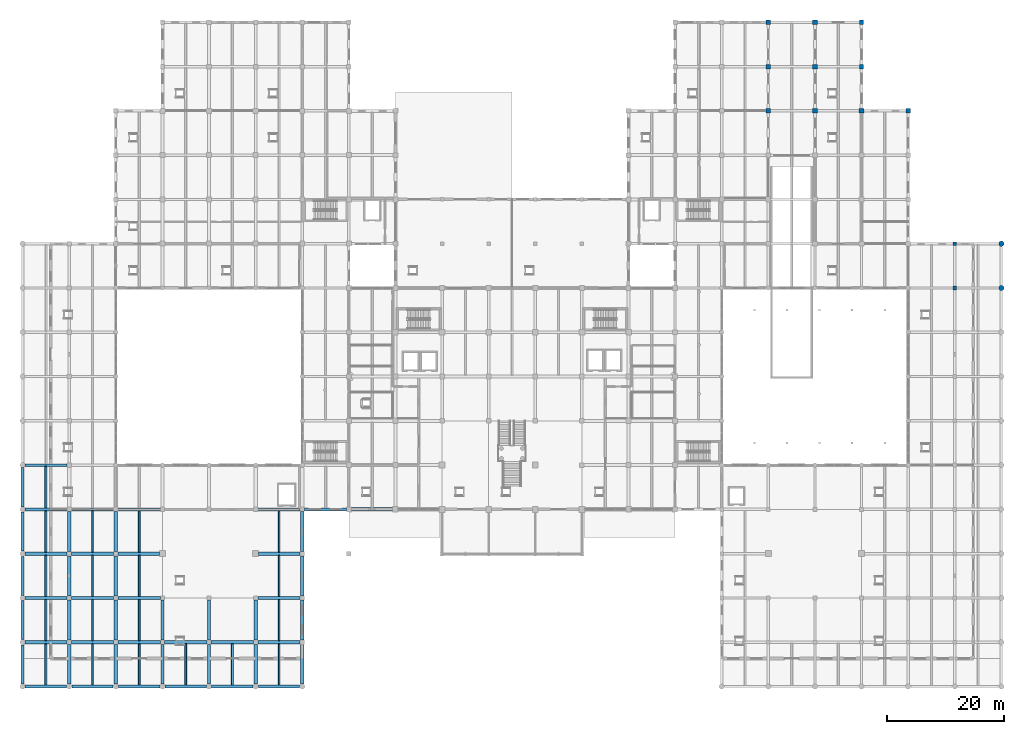
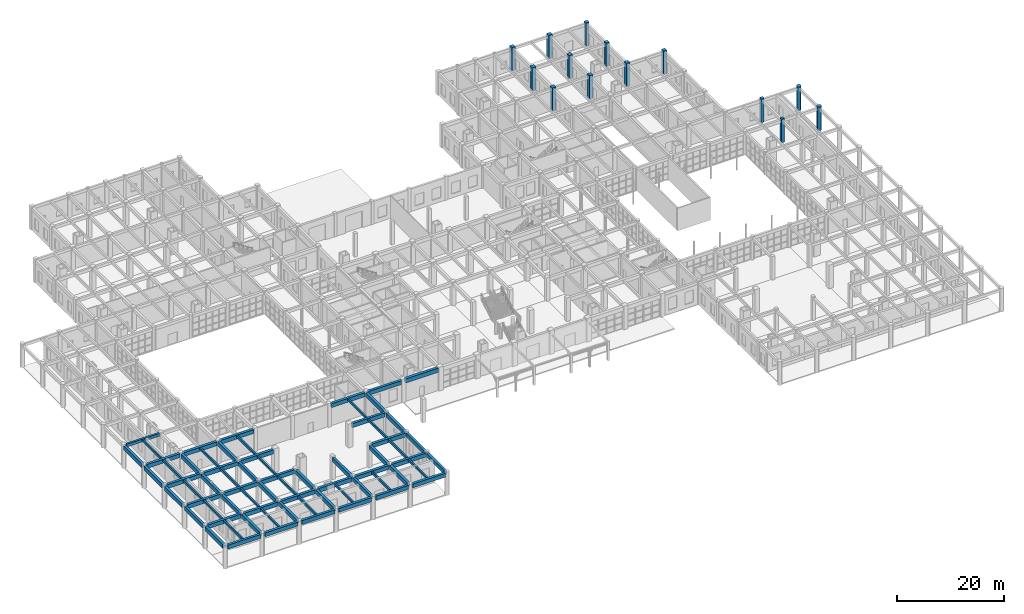
# One storey, part 13 of 95: 69 beams, 14 columns.
"""IFC4 building model written with IfcOpenShell, lengths in metres."""

from ifc_helpers import new_model, si_unit, direction, frame, origin, origin_2d, place, context, subcontext, project, spatial, rectangle, circle, extrude, material, material_profile, profile_set, type_object, element, save


model = new_model("IFC4")

# Units and contexts
model_context = context("Model", 3, precision=1e-05, world=origin(), true_north=direction((0.0, 1.0)))
body_context = subcontext(model_context, "Body", "Model", "MODEL_VIEW")
ifc_project = project(units=[si_unit("LENGTHUNIT", "METRE"), si_unit("AREAUNIT", "SQUARE_METRE"), si_unit("VOLUMEUNIT", "CUBIC_METRE"), si_unit("PLANEANGLEUNIT", "RADIAN"), si_unit("MASSUNIT", "GRAM", prefix="KILO")], contexts=[model_context])

# Site, building, storey
site_placement = place(None, origin())
site = spatial("IfcSite", under=ifc_project, at=site_placement, CompositionType="ELEMENT")
building_placement = place(site_placement, origin())
building = spatial("IfcBuilding", under=site, at=building_placement, Name="Zantavel Square City Hall", CompositionType="ELEMENT")
storey_placement = place(building_placement, origin())
storey = spatial("IfcBuildingStorey", under=building, at=storey_placement, Name="L01", CompositionType="ELEMENT", Elevation=0.0)

# Columns
ifc_material_1 = material(Name="Concrete C40/50", Category="concrete")
ifc_material_profile_1 = material_profile(ifc_material_1, rectangle(XDim=0.64990234375, YDim=0.64990234375, at=origin_2d()), Name="RC 650x650")
ifc_profile_set_1 = profile_set([ifc_material_profile_1], Name="Concrete C40/50")
column_type_1 = type_object("IfcColumnType", Name="Column RC 650x650 C40/50", PredefinedType="COLUMN", material=ifc_profile_set_1)
for number, where, z_axis, x_axis, name in (
    (1, (160.0, 68.39990234375, 0.0), (0.0, 0.0, 1.0), (1.0, 0.0, 0.0), "L01 Column COL-L01-1600-0684"),
    (2, (160.0, 76.0, 0.0), (0.0, 0.0, 1.0), (1.0, 0.0, 0.0), "L01 Column COL-L01-1600-0760"),
):
    element("IfcColumn", number, at=place(storey_placement, frame(where, z_axis=z_axis, x_axis=x_axis)), inside=storey, type_object=column_type_1, Name=name, PredefinedType="COLUMN", context=body_context, shape_type="SweptSolid", body=[
        extrude(rectangle(XDim=0.64990234375, YDim=0.64990234375, at=origin_2d()), origin(), (0.0, 0.0, 1.0), 5.39990234375),
    ])
ifc_material_profile_2 = material_profile(ifc_material_1, rectangle(XDim=0.75, YDim=0.75, at=origin_2d()), Name="RC 750x750")
ifc_profile_set_2 = profile_set([ifc_material_profile_2], Name="Concrete C40/50")
column_type_2 = type_object("IfcColumnType", Name="Column RC 750x750 C40/50", PredefinedType="COLUMN", material=ifc_profile_set_2)
for number, where, z_axis, x_axis, name in (
    (3, (144.0, 106.39990234375, 0.0), (0.0, 0.0, 1.0), (1.0, 0.0, 0.0), "L01 Column COL-L01-1440-1064"),
    (4, (144.0, 114.0, 0.0), (0.0, 0.0, 1.0), (1.0, 0.0, 0.0), "L01 Column COL-L01-1440-1140"),
    (5, (152.0, 98.800048828125, 0.0), (0.0, 0.0, 1.0), (1.0, 0.0, 0.0), "L01 Column COL-L01-1520-0988"),
):
    element("IfcColumn", number, at=place(storey_placement, frame(where, z_axis=z_axis, x_axis=x_axis)), inside=storey, type_object=column_type_2, Name=name, PredefinedType="COLUMN", context=body_context, shape_type="SweptSolid", body=[
        extrude(rectangle(XDim=0.75, YDim=0.75, at=origin_2d()), origin(), (0.0, 0.0, 1.0), 5.39990234375),
    ])
ifc_material_profile_3 = material_profile(ifc_material_1, rectangle(XDim=0.800048828125, YDim=0.800048828125, at=origin_2d()), Name="RC 800x800")
ifc_profile_set_3 = profile_set([ifc_material_profile_3], Name="Concrete C40/50")
column_type_3 = type_object("IfcColumnType", Name="Column RC 800x800 C40/50", PredefinedType="COLUMN", material=ifc_profile_set_3)
for number, where, z_axis, x_axis, name in (
    (6, (128.0, 98.800048828125, 0.0), (0.0, 0.0, 1.0), (1.0, 0.0, 0.0), "L01 Column COL-L01-1280-0988"),
    (7, (128.0, 106.39990234375, 0.0), (0.0, 0.0, 1.0), (1.0, 0.0, 0.0), "L01 Column COL-L01-1280-1064"),
    (8, (128.0, 114.0, 0.0), (0.0, 0.0, 1.0), (1.0, 0.0, 0.0), "L01 Column COL-L01-1280-1140"),
    (9, (136.0, 98.800048828125, 0.0), (0.0, 0.0, 1.0), (1.0, 0.0, 0.0), "L01 Column COL-L01-1360-0988"),
    (10, (136.0, 106.39990234375, 0.0), (0.0, 0.0, 1.0), (1.0, 0.0, 0.0), "L01 Column COL-L01-1360-1064"),
    (11, (136.0, 114.0, 0.0), (0.0, 0.0, 1.0), (1.0, 0.0, 0.0), "L01 Column COL-L01-1360-1140"),
    (12, (144.0, 98.800048828125, 0.0), (0.0, 0.0, 1.0), (1.0, 0.0, 0.0), "L01 Column COL-L01-1440-0988"),
):
    element("IfcColumn", number, at=place(storey_placement, frame(where, z_axis=z_axis, x_axis=x_axis)), inside=storey, type_object=column_type_3, Name=name, PredefinedType="COLUMN", context=body_context, shape_type="SweptSolid", body=[
        extrude(rectangle(XDim=0.800048828125, YDim=0.800048828125, at=origin_2d()), origin(), (0.0, 0.0, 1.0), 5.39990234375),
    ])
ifc_material_profile_4 = material_profile(ifc_material_1, circle(Radius=0.449951171875, at=origin_2d()), Name="ROUND D900")
ifc_profile_set_4 = profile_set([ifc_material_profile_4], Name="Concrete C40/50")
column_type_4 = type_object("IfcColumnType", Name="Portales Tuscan Column D900 C40/50", PredefinedType="COLUMN", material=ifc_profile_set_4)
for number, where, z_axis, x_axis, name in (
    (13, (168.0, 68.39990234375, 0.0), (0.0, 0.0, 1.0), (1.0, 0.0, 0.0), "L01 Column COL-L01-1680-0684"),
    (14, (168.0, 76.0, 0.0), (0.0, 0.0, 1.0), (1.0, 0.0, 0.0), "L01 Column COL-L01-1680-0760"),
):
    element("IfcColumn", number, at=place(storey_placement, frame(where, z_axis=z_axis, x_axis=x_axis)), inside=storey, type_object=column_type_4, Name=name, PredefinedType="COLUMN", context=body_context, shape_type="SweptSolid", body=[
        extrude(circle(Radius=0.449951171875, at=origin_2d()), origin(), (0.0, 0.0, 1.0), 5.39990234375),
    ])

# Beams
ifc_material_profile_5 = material_profile(ifc_material_1, rectangle(XDim=0.320068359375, YDim=0.52001953125, at=origin_2d()), Name="RC 320x520")
ifc_profile_set_5 = profile_set([ifc_material_profile_5], Name="Concrete C40/50")
beam_type_1 = type_object("IfcBeamType", Name="Archive Floor Joist RC 320x520 C40/50", PredefinedType="JOIST", material=ifc_profile_set_5)
for number, where, z_axis, x_axis, name in (
    (15, (4.0, 0.27490234375, 4.889892578125), (0.0, 1.0, 0.0), (-1.0, 0.0, 0.0), "L01 Floor Joist JST-L01-0040-0000"),
    (16, (4.0, 7.875, 4.889892578125), (0.0, 1.0, 0.0), (-1.0, 0.0, 0.0), "L01 Floor Joist JST-L01-0040-0076"),
):
    element("IfcBeam", number, at=place(storey_placement, frame(where, z_axis=z_axis, x_axis=x_axis)), inside=storey, type_object=beam_type_1, Name=name, PredefinedType="JOIST", context=body_context, shape_type="SweptSolid", body=[
        extrude(rectangle(XDim=0.320068359375, YDim=0.52001953125, at=origin_2d()), origin(), (0.0, 0.0, 1.0), 7.050048828125),
    ])
beam_1_placement = place(storey_placement, frame((4.0, 15.47509765625, 4.889892578125), z_axis=(0.0, 1.0, 0.0), x_axis=(-1.0, 0.0, 0.0)))
element("IfcBeam", 17, at=beam_1_placement, inside=storey, type_object=beam_type_1, Name="L01 Floor Joist JST-L01-0040-0152", PredefinedType="JOIST", context=body_context, shape_type="SweptSolid", body=[
    extrude(rectangle(XDim=0.320068359375, YDim=0.52001953125, at=origin_2d()), origin(), (0.0, 0.0, 1.0), 7.0498046875),
])
beam_2_placement = place(storey_placement, frame((4.0, 23.074951171875, 4.889892578125), z_axis=(0.0, 1.0, 0.0), x_axis=(-1.0, 0.0, 0.0)))
element("IfcBeam", 18, at=beam_2_placement, inside=storey, type_object=beam_type_1, Name="L01 Floor Joist JST-L01-0040-0228", PredefinedType="JOIST", context=body_context, shape_type="SweptSolid", body=[
    extrude(rectangle(XDim=0.320068359375, YDim=0.52001953125, at=origin_2d()), origin(), (0.0, 0.0, 1.0), 7.050048828125),
])
beam_3_placement = place(storey_placement, frame((4.0, 30.675048828125, 4.889892578125), z_axis=(0.0, 1.0, 0.0), x_axis=(-1.0, 0.0, 0.0)))
element("IfcBeam", 19, at=beam_3_placement, inside=storey, type_object=beam_type_1, Name="L01 Floor Joist JST-L01-0040-0304", PredefinedType="JOIST", context=body_context, shape_type="SweptSolid", body=[
    extrude(rectangle(XDim=0.320068359375, YDim=0.52001953125, at=origin_2d()), origin(), (0.0, 0.0, 1.0), 7.125),
])
for number, where, z_axis, x_axis, name in (
    (20, (12.0, 0.27490234375, 4.820068359375), (0.0, 1.0, 0.0), (-1.0, 0.0, 0.0), "L01 Floor Joist JST-L01-0120-0000"),
    (21, (12.0, 7.875, 4.820068359375), (0.0, 1.0, 0.0), (-1.0, 0.0, 0.0), "L01 Floor Joist JST-L01-0120-0076"),
):
    element("IfcBeam", number, at=place(storey_placement, frame(where, z_axis=z_axis, x_axis=x_axis)), inside=storey, type_object=beam_type_1, Name=name, PredefinedType="JOIST", context=body_context, shape_type="SweptSolid", body=[
        extrude(rectangle(XDim=0.320068359375, YDim=0.52001953125, at=origin_2d()), origin(), (0.0, 0.0, 1.0), 7.050048828125),
    ])
beam_4_placement = place(storey_placement, frame((12.0, 15.47509765625, 4.820068359375), z_axis=(0.0, 1.0, 0.0), x_axis=(-1.0, 0.0, 0.0)))
element("IfcBeam", 22, at=beam_4_placement, inside=storey, type_object=beam_type_1, Name="L01 Floor Joist JST-L01-0120-0152", PredefinedType="JOIST", context=body_context, shape_type="SweptSolid", body=[
    extrude(rectangle(XDim=0.320068359375, YDim=0.52001953125, at=origin_2d()), origin(), (0.0, 0.0, 1.0), 7.0498046875),
])
for number, where, z_axis, x_axis, name in (
    (23, (12.0, 23.074951171875, 4.820068359375), (0.0, 1.0, 0.0), (-1.0, 0.0, 0.0), "L01 Floor Joist JST-L01-0120-0228"),
    (24, (20.0, 0.27490234375, 4.820068359375), (0.0, 1.0, 0.0), (-1.0, 0.0, 0.0), "L01 Floor Joist JST-L01-0200-0000"),
    (25, (20.0, 7.875, 4.820068359375), (0.0, 1.0, 0.0), (-1.0, 0.0, 0.0), "L01 Floor Joist JST-L01-0200-0076"),
):
    element("IfcBeam", number, at=place(storey_placement, frame(where, z_axis=z_axis, x_axis=x_axis)), inside=storey, type_object=beam_type_1, Name=name, PredefinedType="JOIST", context=body_context, shape_type="SweptSolid", body=[
        extrude(rectangle(XDim=0.320068359375, YDim=0.52001953125, at=origin_2d()), origin(), (0.0, 0.0, 1.0), 7.050048828125),
    ])
beam_5_placement = place(storey_placement, frame((20.0, 15.47509765625, 4.820068359375), z_axis=(0.0, 1.0, 0.0), x_axis=(-1.0, 0.0, 0.0)))
element("IfcBeam", 26, at=beam_5_placement, inside=storey, type_object=beam_type_1, Name="L01 Floor Joist JST-L01-0200-0152", PredefinedType="JOIST", context=body_context, shape_type="SweptSolid", body=[
    extrude(rectangle(XDim=0.320068359375, YDim=0.52001953125, at=origin_2d()), origin(), (0.0, 0.0, 1.0), 7.0498046875),
])
for number, where, z_axis, x_axis, name in (
    (27, (20.0, 23.074951171875, 4.820068359375), (0.0, 1.0, 0.0), (-1.0, 0.0, 0.0), "L01 Floor Joist JST-L01-0200-0228"),
    (28, (28.0, 0.27490234375, 4.820068359375), (0.0, 1.0, 0.0), (-1.0, 0.0, 0.0), "L01 Floor Joist JST-L01-0280-0000"),
    (29, (36.0, 0.27490234375, 4.820068359375), (0.0, 1.0, 0.0), (-1.0, 0.0, 0.0), "L01 Floor Joist JST-L01-0360-0000"),
    (30, (44.0, 0.27490234375, 4.820068359375), (0.0, 1.0, 0.0), (-1.0, 0.0, 0.0), "L01 Floor Joist JST-L01-0440-0000"),
    (31, (44.0, 7.875, 4.820068359375), (0.0, 1.0, 0.0), (-1.0, 0.0, 0.0), "L01 Floor Joist JST-L01-0440-0076"),
):
    element("IfcBeam", number, at=place(storey_placement, frame(where, z_axis=z_axis, x_axis=x_axis)), inside=storey, type_object=beam_type_1, Name=name, PredefinedType="JOIST", context=body_context, shape_type="SweptSolid", body=[
        extrude(rectangle(XDim=0.320068359375, YDim=0.52001953125, at=origin_2d()), origin(), (0.0, 0.0, 1.0), 7.050048828125),
    ])
beam_6_placement = place(storey_placement, frame((44.0, 15.47509765625, 4.820068359375), z_axis=(0.0, 1.0, 0.0), x_axis=(-1.0, 0.0, 0.0)))
element("IfcBeam", 32, at=beam_6_placement, inside=storey, type_object=beam_type_1, Name="L01 Floor Joist JST-L01-0440-0152", PredefinedType="JOIST", context=body_context, shape_type="SweptSolid", body=[
    extrude(rectangle(XDim=0.320068359375, YDim=0.52001953125, at=origin_2d()), origin(), (0.0, 0.0, 1.0), 7.0498046875),
])
beam_7_placement = place(storey_placement, frame((44.0, 23.074951171875, 4.820068359375), z_axis=(0.0, 1.0, 0.0), x_axis=(-1.0, 0.0, 0.0)))
element("IfcBeam", 33, at=beam_7_placement, inside=storey, type_object=beam_type_1, Name="L01 Floor Joist JST-L01-0440-0228", PredefinedType="JOIST", context=body_context, shape_type="SweptSolid", body=[
    extrude(rectangle(XDim=0.320068359375, YDim=0.52001953125, at=origin_2d()), origin(), (0.0, 0.0, 1.0), 7.050048828125),
])
ifc_material_profile_6 = material_profile(ifc_material_1, rectangle(XDim=0.550048828125, YDim=0.89990234375, at=origin_2d()), Name="RC 550x900")
ifc_profile_set_6 = profile_set([ifc_material_profile_6], Name="Concrete C40/50")
beam_type_2 = type_object("IfcBeamType", Name="Archive Heavy Girder RC 550x900 C40/50", PredefinedType="BEAM", material=ifc_profile_set_6)
beam_8_placement = place(storey_placement, frame((0.449951171875, 0.0, 4.699951171875), z_axis=(1.0, 0.0, 0.0), x_axis=(0.0, 1.0, 0.0)))
element("IfcBeam", 34, at=beam_8_placement, inside=storey, type_object=beam_type_2, Name="L01 Girder BMX-L01-0000-0000", PredefinedType="BEAM", context=body_context, shape_type="SweptSolid", body=[
    extrude(rectangle(XDim=0.550048828125, YDim=0.89990234375, at=origin_2d()), origin(), (0.0, 0.0, 1.0), 7.10009765625),
])
beam_9_placement = place(storey_placement, frame((0.0, 0.449951171875, 4.699951171875), z_axis=(0.0, 1.0, 0.0), x_axis=(-1.0, 0.0, 0.0)))
element("IfcBeam", 35, at=beam_9_placement, inside=storey, type_object=beam_type_2, Name="L01 Beam BMY-L01-0000-0000", PredefinedType="BEAM", context=body_context, shape_type="SweptSolid", body=[
    extrude(rectangle(XDim=0.550048828125, YDim=0.89990234375, at=origin_2d()), origin(), (0.0, 0.0, 1.0), 6.699951171875),
])
beam_10_placement = place(storey_placement, frame((0.449951171875, 7.60009765625, 4.699951171875), z_axis=(1.0, 0.0, 0.0), x_axis=(0.0, 1.0, 0.0)))
element("IfcBeam", 36, at=beam_10_placement, inside=storey, type_object=beam_type_2, Name="L01 Girder BMX-L01-0000-0076", PredefinedType="BEAM", context=body_context, shape_type="SweptSolid", body=[
    extrude(rectangle(XDim=0.550048828125, YDim=0.89990234375, at=origin_2d()), origin(), (0.0, 0.0, 1.0), 7.175048828125),
])
beam_11_placement = place(storey_placement, frame((0.0, 8.050048828125, 4.699951171875), z_axis=(0.0, 1.0, 0.0), x_axis=(-1.0, 0.0, 0.0)))
element("IfcBeam", 37, at=beam_11_placement, inside=storey, type_object=beam_type_2, Name="L01 Beam BMY-L01-0000-0076", PredefinedType="BEAM", context=body_context, shape_type="SweptSolid", body=[
    extrude(rectangle(XDim=0.550048828125, YDim=0.89990234375, at=origin_2d()), origin(), (0.0, 0.0, 1.0), 6.699951171875),
])
beam_12_placement = place(storey_placement, frame((0.449951171875, 15.199951171875, 4.699951171875), z_axis=(1.0, 0.0, 0.0), x_axis=(0.0, 1.0, 0.0)))
element("IfcBeam", 38, at=beam_12_placement, inside=storey, type_object=beam_type_2, Name="L01 Girder BMX-L01-0000-0152", PredefinedType="BEAM", context=body_context, shape_type="SweptSolid", body=[
    extrude(rectangle(XDim=0.550048828125, YDim=0.89990234375, at=origin_2d()), origin(), (0.0, 0.0, 1.0), 7.175048828125),
])
beam_13_placement = place(storey_placement, frame((0.0, 15.64990234375, 4.699951171875), z_axis=(0.0, 1.0, 0.0), x_axis=(-1.0, 0.0, 0.0)))
element("IfcBeam", 39, at=beam_13_placement, inside=storey, type_object=beam_type_2, Name="L01 Beam BMY-L01-0000-0152", PredefinedType="BEAM", context=body_context, shape_type="SweptSolid", body=[
    extrude(rectangle(XDim=0.550048828125, YDim=0.89990234375, at=origin_2d()), origin(), (0.0, 0.0, 1.0), 6.7001953125),
])
beam_14_placement = place(storey_placement, frame((0.449951171875, 22.800048828125, 4.699951171875), z_axis=(1.0, 0.0, 0.0), x_axis=(0.0, 1.0, 0.0)))
element("IfcBeam", 40, at=beam_14_placement, inside=storey, type_object=beam_type_2, Name="L01 Girder BMX-L01-0000-0228", PredefinedType="BEAM", context=body_context, shape_type="SweptSolid", body=[
    extrude(rectangle(XDim=0.550048828125, YDim=0.89990234375, at=origin_2d()), origin(), (0.0, 0.0, 1.0), 7.175048828125),
])
beam_15_placement = place(storey_placement, frame((0.0, 23.25, 4.699951171875), z_axis=(0.0, 1.0, 0.0), x_axis=(-1.0, 0.0, 0.0)))
element("IfcBeam", 41, at=beam_15_placement, inside=storey, type_object=beam_type_2, Name="L01 Beam BMY-L01-0000-0228", PredefinedType="BEAM", context=body_context, shape_type="SweptSolid", body=[
    extrude(rectangle(XDim=0.550048828125, YDim=0.89990234375, at=origin_2d()), origin(), (0.0, 0.0, 1.0), 6.699951171875),
])
beam_16_placement = place(storey_placement, frame((0.449951171875, 30.39990234375, 4.699951171875), z_axis=(1.0, 0.0, 0.0), x_axis=(0.0, 1.0, 0.0)))
element("IfcBeam", 42, at=beam_16_placement, inside=storey, type_object=beam_type_2, Name="L01 Girder BMX-L01-0000-0304", PredefinedType="BEAM", context=body_context, shape_type="SweptSolid", body=[
    extrude(rectangle(XDim=0.550048828125, YDim=0.89990234375, at=origin_2d()), origin(), (0.0, 0.0, 1.0), 7.175048828125),
])
beam_17_placement = place(storey_placement, frame((0.0, 30.85009765625, 4.699951171875), z_axis=(0.0, 1.0, 0.0), x_axis=(-1.0, 0.0, 0.0)))
element("IfcBeam", 43, at=beam_17_placement, inside=storey, type_object=beam_type_2, Name="L01 Beam BMY-L01-0000-0304", PredefinedType="BEAM", context=body_context, shape_type="SweptSolid", body=[
    extrude(rectangle(XDim=0.550048828125, YDim=0.89990234375, at=origin_2d()), origin(), (0.0, 0.0, 1.0), 6.699951171875),
])
beam_18_placement = place(storey_placement, frame((8.449951171875, 0.0, 4.699951171875), z_axis=(1.0, 0.0, 0.0), x_axis=(0.0, 1.0, 0.0)))
element("IfcBeam", 44, at=beam_18_placement, inside=storey, type_object=beam_type_2, Name="L01 Girder BMX-L01-0080-0000", PredefinedType="BEAM", context=body_context, shape_type="SweptSolid", body=[
    extrude(rectangle(XDim=0.550048828125, YDim=0.89990234375, at=origin_2d()), origin(), (0.0, 0.0, 1.0), 7.10009765625),
])
beam_19_placement = place(storey_placement, frame((8.0, 0.449951171875, 4.699951171875), z_axis=(0.0, 1.0, 0.0), x_axis=(-1.0, 0.0, 0.0)))
element("IfcBeam", 45, at=beam_19_placement, inside=storey, type_object=beam_type_2, Name="L01 Beam BMY-L01-0080-0000", PredefinedType="BEAM", context=body_context, shape_type="SweptSolid", body=[
    extrude(rectangle(XDim=0.550048828125, YDim=0.89990234375, at=origin_2d()), origin(), (0.0, 0.0, 1.0), 6.775146484375),
])
beam_20_placement = place(storey_placement, frame((8.375, 7.60009765625, 4.6298828125), z_axis=(1.0, 0.0, 0.0), x_axis=(0.0, 1.0, 0.0)))
element("IfcBeam", 46, at=beam_20_placement, inside=storey, type_object=beam_type_2, Name="L01 Girder BMX-L01-0080-0076", PredefinedType="BEAM", context=body_context, shape_type="SweptSolid", body=[
    extrude(rectangle(XDim=0.550048828125, YDim=0.89990234375, at=origin_2d()), origin(), (0.0, 0.0, 1.0), 7.25),
])
beam_21_placement = place(storey_placement, frame((8.0, 7.97509765625, 4.6298828125), z_axis=(0.0, 1.0, 0.0), x_axis=(-1.0, 0.0, 0.0)))
element("IfcBeam", 47, at=beam_21_placement, inside=storey, type_object=beam_type_2, Name="L01 Beam BMY-L01-0080-0076", PredefinedType="BEAM", context=body_context, shape_type="SweptSolid", body=[
    extrude(rectangle(XDim=0.550048828125, YDim=0.89990234375, at=origin_2d()), origin(), (0.0, 0.0, 1.0), 6.849853515625),
])
beam_22_placement = place(storey_placement, frame((8.375, 15.199951171875, 4.6298828125), z_axis=(1.0, 0.0, 0.0), x_axis=(0.0, 1.0, 0.0)))
element("IfcBeam", 48, at=beam_22_placement, inside=storey, type_object=beam_type_2, Name="L01 Girder BMX-L01-0080-0152", PredefinedType="BEAM", context=body_context, shape_type="SweptSolid", body=[
    extrude(rectangle(XDim=0.550048828125, YDim=0.89990234375, at=origin_2d()), origin(), (0.0, 0.0, 1.0), 7.25),
])
beam_23_placement = place(storey_placement, frame((8.0, 15.574951171875, 4.6298828125), z_axis=(0.0, 1.0, 0.0), x_axis=(-1.0, 0.0, 0.0)))
element("IfcBeam", 49, at=beam_23_placement, inside=storey, type_object=beam_type_2, Name="L01 Beam BMY-L01-0080-0152", PredefinedType="BEAM", context=body_context, shape_type="SweptSolid", body=[
    extrude(rectangle(XDim=0.550048828125, YDim=0.89990234375, at=origin_2d()), origin(), (0.0, 0.0, 1.0), 6.85009765625),
])
beam_24_placement = place(storey_placement, frame((8.375, 22.800048828125, 4.6298828125), z_axis=(1.0, 0.0, 0.0), x_axis=(0.0, 1.0, 0.0)))
element("IfcBeam", 50, at=beam_24_placement, inside=storey, type_object=beam_type_2, Name="L01 Girder BMX-L01-0080-0228", PredefinedType="BEAM", context=body_context, shape_type="SweptSolid", body=[
    extrude(rectangle(XDim=0.550048828125, YDim=0.89990234375, at=origin_2d()), origin(), (0.0, 0.0, 1.0), 7.25),
])
beam_25_placement = place(storey_placement, frame((8.0, 23.175048828125, 4.6298828125), z_axis=(0.0, 1.0, 0.0), x_axis=(-1.0, 0.0, 0.0)))
element("IfcBeam", 51, at=beam_25_placement, inside=storey, type_object=beam_type_2, Name="L01 Beam BMY-L01-0080-0228", PredefinedType="BEAM", context=body_context, shape_type="SweptSolid", body=[
    extrude(rectangle(XDim=0.550048828125, YDim=0.89990234375, at=origin_2d()), origin(), (0.0, 0.0, 1.0), 6.849853515625),
])
beam_26_placement = place(storey_placement, frame((8.375, 30.39990234375, 4.6298828125), z_axis=(1.0, 0.0, 0.0), x_axis=(0.0, 1.0, 0.0)))
element("IfcBeam", 52, at=beam_26_placement, inside=storey, type_object=beam_type_2, Name="L01 Girder BMX-L01-0080-0304", PredefinedType="BEAM", context=body_context, shape_type="SweptSolid", body=[
    extrude(rectangle(XDim=0.550048828125, YDim=0.89990234375, at=origin_2d()), origin(), (0.0, 0.0, 1.0), 7.25),
])
beam_27_placement = place(storey_placement, frame((16.449951171875, 0.0, 4.699951171875), z_axis=(1.0, 0.0, 0.0), x_axis=(0.0, 1.0, 0.0)))
element("IfcBeam", 53, at=beam_27_placement, inside=storey, type_object=beam_type_2, Name="L01 Girder BMX-L01-0160-0000", PredefinedType="BEAM", context=body_context, shape_type="SweptSolid", body=[
    extrude(rectangle(XDim=0.550048828125, YDim=0.89990234375, at=origin_2d()), origin(), (0.0, 0.0, 1.0), 7.10009765625),
])
beam_28_placement = place(storey_placement, frame((16.0, 0.449951171875, 4.699951171875), z_axis=(0.0, 1.0, 0.0), x_axis=(-1.0, 0.0, 0.0)))
element("IfcBeam", 54, at=beam_28_placement, inside=storey, type_object=beam_type_2, Name="L01 Beam BMY-L01-0160-0000", PredefinedType="BEAM", context=body_context, shape_type="SweptSolid", body=[
    extrude(rectangle(XDim=0.550048828125, YDim=0.89990234375, at=origin_2d()), origin(), (0.0, 0.0, 1.0), 6.775146484375),
])
beam_29_placement = place(storey_placement, frame((16.375, 7.60009765625, 4.6298828125), z_axis=(1.0, 0.0, 0.0), x_axis=(0.0, 1.0, 0.0)))
element("IfcBeam", 55, at=beam_29_placement, inside=storey, type_object=beam_type_2, Name="L01 Girder BMX-L01-0160-0076", PredefinedType="BEAM", context=body_context, shape_type="SweptSolid", body=[
    extrude(rectangle(XDim=0.550048828125, YDim=0.89990234375, at=origin_2d()), origin(), (0.0, 0.0, 1.0), 7.25),
])
beam_30_placement = place(storey_placement, frame((16.0, 7.97509765625, 4.6298828125), z_axis=(0.0, 1.0, 0.0), x_axis=(-1.0, 0.0, 0.0)))
element("IfcBeam", 56, at=beam_30_placement, inside=storey, type_object=beam_type_2, Name="L01 Beam BMY-L01-0160-0076", PredefinedType="BEAM", context=body_context, shape_type="SweptSolid", body=[
    extrude(rectangle(XDim=0.550048828125, YDim=0.89990234375, at=origin_2d()), origin(), (0.0, 0.0, 1.0), 6.849853515625),
])
beam_31_placement = place(storey_placement, frame((16.375, 15.199951171875, 4.6298828125), z_axis=(1.0, 0.0, 0.0), x_axis=(0.0, 1.0, 0.0)))
element("IfcBeam", 57, at=beam_31_placement, inside=storey, type_object=beam_type_2, Name="L01 Girder BMX-L01-0160-0152", PredefinedType="BEAM", context=body_context, shape_type="SweptSolid", body=[
    extrude(rectangle(XDim=0.550048828125, YDim=0.89990234375, at=origin_2d()), origin(), (0.0, 0.0, 1.0), 7.25),
])
beam_32_placement = place(storey_placement, frame((16.0, 15.574951171875, 4.6298828125), z_axis=(0.0, 1.0, 0.0), x_axis=(-1.0, 0.0, 0.0)))
element("IfcBeam", 58, at=beam_32_placement, inside=storey, type_object=beam_type_2, Name="L01 Beam BMY-L01-0160-0152", PredefinedType="BEAM", context=body_context, shape_type="SweptSolid", body=[
    extrude(rectangle(XDim=0.550048828125, YDim=0.89990234375, at=origin_2d()), origin(), (0.0, 0.0, 1.0), 6.85009765625),
])
beam_33_placement = place(storey_placement, frame((16.375, 22.800048828125, 4.6298828125), z_axis=(1.0, 0.0, 0.0), x_axis=(0.0, 1.0, 0.0)))
element("IfcBeam", 59, at=beam_33_placement, inside=storey, type_object=beam_type_2, Name="L01 Girder BMX-L01-0160-0228", PredefinedType="BEAM", context=body_context, shape_type="SweptSolid", body=[
    extrude(rectangle(XDim=0.550048828125, YDim=0.89990234375, at=origin_2d()), origin(), (0.0, 0.0, 1.0), 7.125),
])
beam_34_placement = place(storey_placement, frame((16.0, 23.175048828125, 4.6298828125), z_axis=(0.0, 1.0, 0.0), x_axis=(-1.0, 0.0, 0.0)))
element("IfcBeam", 60, at=beam_34_placement, inside=storey, type_object=beam_type_2, Name="L01 Beam BMY-L01-0160-0228", PredefinedType="BEAM", context=body_context, shape_type="SweptSolid", body=[
    extrude(rectangle(XDim=0.550048828125, YDim=0.89990234375, at=origin_2d()), origin(), (0.0, 0.0, 1.0), 6.849853515625),
])
beam_35_placement = place(storey_placement, frame((16.375, 30.39990234375, 4.6298828125), z_axis=(1.0, 0.0, 0.0), x_axis=(0.0, 1.0, 0.0)))
element("IfcBeam", 61, at=beam_35_placement, inside=storey, type_object=beam_type_2, Name="L01 Girder BMX-L01-0160-0304", PredefinedType="BEAM", context=body_context, shape_type="SweptSolid", body=[
    extrude(rectangle(XDim=0.550048828125, YDim=0.89990234375, at=origin_2d()), origin(), (0.0, 0.0, 1.0), 7.25),
])
beam_36_placement = place(storey_placement, frame((24.449951171875, 0.0, 4.699951171875), z_axis=(1.0, 0.0, 0.0), x_axis=(0.0, 1.0, 0.0)))
element("IfcBeam", 62, at=beam_36_placement, inside=storey, type_object=beam_type_2, Name="L01 Girder BMX-L01-0240-0000", PredefinedType="BEAM", context=body_context, shape_type="SweptSolid", body=[
    extrude(rectangle(XDim=0.550048828125, YDim=0.89990234375, at=origin_2d()), origin(), (0.0, 0.0, 1.0), 7.10009765625),
])
beam_37_placement = place(storey_placement, frame((24.0, 0.449951171875, 4.699951171875), z_axis=(0.0, 1.0, 0.0), x_axis=(-1.0, 0.0, 0.0)))
element("IfcBeam", 63, at=beam_37_placement, inside=storey, type_object=beam_type_2, Name="L01 Beam BMY-L01-0240-0000", PredefinedType="BEAM", context=body_context, shape_type="SweptSolid", body=[
    extrude(rectangle(XDim=0.550048828125, YDim=0.89990234375, at=origin_2d()), origin(), (0.0, 0.0, 1.0), 6.775146484375),
])
beam_38_placement = place(storey_placement, frame((24.375, 7.60009765625, 4.6298828125), z_axis=(1.0, 0.0, 0.0), x_axis=(0.0, 1.0, 0.0)))
element("IfcBeam", 64, at=beam_38_placement, inside=storey, type_object=beam_type_2, Name="L01 Girder BMX-L01-0240-0076", PredefinedType="BEAM", context=body_context, shape_type="SweptSolid", body=[
    extrude(rectangle(XDim=0.550048828125, YDim=0.89990234375, at=origin_2d()), origin(), (0.0, 0.0, 1.0), 7.25),
])
beam_39_placement = place(storey_placement, frame((24.0, 7.97509765625, 4.6298828125), z_axis=(0.0, 1.0, 0.0), x_axis=(-1.0, 0.0, 0.0)))
element("IfcBeam", 65, at=beam_39_placement, inside=storey, type_object=beam_type_2, Name="L01 Beam BMY-L01-0240-0076", PredefinedType="BEAM", context=body_context, shape_type="SweptSolid", body=[
    extrude(rectangle(XDim=0.550048828125, YDim=0.89990234375, at=origin_2d()), origin(), (0.0, 0.0, 1.0), 6.849853515625),
])
beam_40_placement = place(storey_placement, frame((32.449951171875, 0.0, 4.699951171875), z_axis=(1.0, 0.0, 0.0), x_axis=(0.0, 1.0, 0.0)))
element("IfcBeam", 66, at=beam_40_placement, inside=storey, type_object=beam_type_2, Name="L01 Girder BMX-L01-0320-0000", PredefinedType="BEAM", context=body_context, shape_type="SweptSolid", body=[
    extrude(rectangle(XDim=0.550048828125, YDim=0.89990234375, at=origin_2d()), origin(), (0.0, 0.0, 1.0), 7.10009765625),
])
beam_41_placement = place(storey_placement, frame((32.0, 0.449951171875, 4.699951171875), z_axis=(0.0, 1.0, 0.0), x_axis=(-1.0, 0.0, 0.0)))
element("IfcBeam", 67, at=beam_41_placement, inside=storey, type_object=beam_type_2, Name="L01 Beam BMY-L01-0320-0000", PredefinedType="BEAM", context=body_context, shape_type="SweptSolid", body=[
    extrude(rectangle(XDim=0.550048828125, YDim=0.89990234375, at=origin_2d()), origin(), (0.0, 0.0, 1.0), 6.775146484375),
])
beam_42_placement = place(storey_placement, frame((32.375, 7.60009765625, 4.6298828125), z_axis=(1.0, 0.0, 0.0), x_axis=(0.0, 1.0, 0.0)))
element("IfcBeam", 68, at=beam_42_placement, inside=storey, type_object=beam_type_2, Name="L01 Girder BMX-L01-0320-0076", PredefinedType="BEAM", context=body_context, shape_type="SweptSolid", body=[
    extrude(rectangle(XDim=0.550048828125, YDim=0.89990234375, at=origin_2d()), origin(), (0.0, 0.0, 1.0), 7.25),
])
beam_43_placement = place(storey_placement, frame((32.0, 7.97509765625, 4.6298828125), z_axis=(0.0, 1.0, 0.0), x_axis=(-1.0, 0.0, 0.0)))
element("IfcBeam", 69, at=beam_43_placement, inside=storey, type_object=beam_type_2, Name="L01 Beam BMY-L01-0320-0076", PredefinedType="BEAM", context=body_context, shape_type="SweptSolid", body=[
    extrude(rectangle(XDim=0.550048828125, YDim=0.89990234375, at=origin_2d()), origin(), (0.0, 0.0, 1.0), 6.849853515625),
])
beam_44_placement = place(storey_placement, frame((40.449951171875, 0.0, 4.699951171875), z_axis=(1.0, 0.0, 0.0), x_axis=(0.0, 1.0, 0.0)))
element("IfcBeam", 70, at=beam_44_placement, inside=storey, type_object=beam_type_2, Name="L01 Girder BMX-L01-0400-0000", PredefinedType="BEAM", context=body_context, shape_type="SweptSolid", body=[
    extrude(rectangle(XDim=0.550048828125, YDim=0.89990234375, at=origin_2d()), origin(), (0.0, 0.0, 1.0), 7.10009765625),
])
beam_45_placement = place(storey_placement, frame((40.0, 0.449951171875, 4.699951171875), z_axis=(0.0, 1.0, 0.0), x_axis=(-1.0, 0.0, 0.0)))
element("IfcBeam", 71, at=beam_45_placement, inside=storey, type_object=beam_type_2, Name="L01 Beam BMY-L01-0400-0000", PredefinedType="BEAM", context=body_context, shape_type="SweptSolid", body=[
    extrude(rectangle(XDim=0.550048828125, YDim=0.89990234375, at=origin_2d()), origin(), (0.0, 0.0, 1.0), 6.775146484375),
])
beam_46_placement = place(storey_placement, frame((40.375, 7.60009765625, 4.6298828125), z_axis=(1.0, 0.0, 0.0), x_axis=(0.0, 1.0, 0.0)))
element("IfcBeam", 72, at=beam_46_placement, inside=storey, type_object=beam_type_2, Name="L01 Girder BMX-L01-0400-0076", PredefinedType="BEAM", context=body_context, shape_type="SweptSolid", body=[
    extrude(rectangle(XDim=0.550048828125, YDim=0.89990234375, at=origin_2d()), origin(), (0.0, 0.0, 1.0), 7.25),
])
beam_47_placement = place(storey_placement, frame((40.0, 7.97509765625, 4.6298828125), z_axis=(0.0, 1.0, 0.0), x_axis=(-1.0, 0.0, 0.0)))
element("IfcBeam", 73, at=beam_47_placement, inside=storey, type_object=beam_type_2, Name="L01 Beam BMY-L01-0400-0076", PredefinedType="BEAM", context=body_context, shape_type="SweptSolid", body=[
    extrude(rectangle(XDim=0.550048828125, YDim=0.89990234375, at=origin_2d()), origin(), (0.0, 0.0, 1.0), 6.849853515625),
])
beam_48_placement = place(storey_placement, frame((40.375, 15.199951171875, 4.6298828125), z_axis=(1.0, 0.0, 0.0), x_axis=(0.0, 1.0, 0.0)))
element("IfcBeam", 74, at=beam_48_placement, inside=storey, type_object=beam_type_2, Name="L01 Girder BMX-L01-0400-0152", PredefinedType="BEAM", context=body_context, shape_type="SweptSolid", body=[
    extrude(rectangle(XDim=0.550048828125, YDim=0.89990234375, at=origin_2d()), origin(), (0.0, 0.0, 1.0), 7.25),
])
beam_49_placement = place(storey_placement, frame((40.5, 22.800048828125, 4.6298828125), z_axis=(1.0, 0.0, 0.0), x_axis=(0.0, 1.0, 0.0)))
element("IfcBeam", 75, at=beam_49_placement, inside=storey, type_object=beam_type_2, Name="L01 Girder BMX-L01-0400-0228", PredefinedType="BEAM", context=body_context, shape_type="SweptSolid", body=[
    extrude(rectangle(XDim=0.550048828125, YDim=0.89990234375, at=origin_2d()), origin(), (0.0, 0.0, 1.0), 7.125),
])
beam_50_placement = place(storey_placement, frame((40.375, 30.39990234375, 4.6298828125), z_axis=(1.0, 0.0, 0.0), x_axis=(0.0, 1.0, 0.0)))
element("IfcBeam", 76, at=beam_50_placement, inside=storey, type_object=beam_type_2, Name="L01 Girder BMX-L01-0400-0304", PredefinedType="BEAM", context=body_context, shape_type="SweptSolid", body=[
    extrude(rectangle(XDim=0.550048828125, YDim=0.89990234375, at=origin_2d()), origin(), (0.0, 0.0, 1.0), 7.25),
])
beam_51_placement = place(storey_placement, frame((48.0, 0.449951171875, 4.699951171875), z_axis=(0.0, 1.0, 0.0), x_axis=(-1.0, 0.0, 0.0)))
element("IfcBeam", 77, at=beam_51_placement, inside=storey, type_object=beam_type_2, Name="L01 Beam BMY-L01-0480-0000", PredefinedType="BEAM", context=body_context, shape_type="SweptSolid", body=[
    extrude(rectangle(XDim=0.550048828125, YDim=0.89990234375, at=origin_2d()), origin(), (0.0, 0.0, 1.0), 6.775146484375),
])
beam_52_placement = place(storey_placement, frame((48.0, 7.97509765625, 4.6298828125), z_axis=(0.0, 1.0, 0.0), x_axis=(-1.0, 0.0, 0.0)))
element("IfcBeam", 78, at=beam_52_placement, inside=storey, type_object=beam_type_2, Name="L01 Beam BMY-L01-0480-0076", PredefinedType="BEAM", context=body_context, shape_type="SweptSolid", body=[
    extrude(rectangle(XDim=0.550048828125, YDim=0.89990234375, at=origin_2d()), origin(), (0.0, 0.0, 1.0), 6.849853515625),
])
beam_53_placement = place(storey_placement, frame((48.0, 15.574951171875, 4.6298828125), z_axis=(0.0, 1.0, 0.0), x_axis=(-1.0, 0.0, 0.0)))
element("IfcBeam", 79, at=beam_53_placement, inside=storey, type_object=beam_type_2, Name="L01 Beam BMY-L01-0480-0152", PredefinedType="BEAM", context=body_context, shape_type="SweptSolid", body=[
    extrude(rectangle(XDim=0.550048828125, YDim=0.89990234375, at=origin_2d()), origin(), (0.0, 0.0, 1.0), 6.85009765625),
])
beam_54_placement = place(storey_placement, frame((48.0, 23.175048828125, 4.6298828125), z_axis=(0.0, 1.0, 0.0), x_axis=(-1.0, 0.0, 0.0)))
element("IfcBeam", 80, at=beam_54_placement, inside=storey, type_object=beam_type_2, Name="L01 Beam BMY-L01-0480-0228", PredefinedType="BEAM", context=body_context, shape_type="SweptSolid", body=[
    extrude(rectangle(XDim=0.550048828125, YDim=0.89990234375, at=origin_2d()), origin(), (0.0, 0.0, 1.0), 6.849853515625),
])
beam_55_placement = place(storey_placement, frame((48.375, 30.39990234375, 4.6298828125), z_axis=(1.0, 0.0, 0.0), x_axis=(0.0, 1.0, 0.0)))
element("IfcBeam", 81, at=beam_55_placement, inside=storey, type_object=beam_type_2, Name="L01 Girder BMX-L01-0480-0304", PredefinedType="BEAM", context=body_context, shape_type="SweptSolid", body=[
    extrude(rectangle(XDim=0.550048828125, YDim=0.89990234375, at=origin_2d()), origin(), (0.0, 0.0, 1.0), 7.199951171875),
])
ifc_material_2 = material(Name="Concrete C35/45", Category="concrete")
ifc_material_profile_7 = material_profile(ifc_material_2, rectangle(XDim=0.39990234375, YDim=0.64990234375, at=origin_2d()), Name="RC 400x650")
ifc_profile_set_7 = profile_set([ifc_material_profile_7], Name="Concrete C35/45")
beam_type_3 = type_object("IfcBeamType", Name="Frame Beam RC 400x650 C35/45", PredefinedType="BEAM", material=ifc_profile_set_7)
beam_56_placement = place(storey_placement, frame((0.449951171875, 38.0, 4.824951171875), z_axis=(1.0, 0.0, 0.0), x_axis=(0.0, 1.0, 0.0)))
element("IfcBeam", 82, at=beam_56_placement, inside=storey, type_object=beam_type_3, Name="L01 Girder BMX-L01-0000-0380", PredefinedType="BEAM", context=body_context, shape_type="SweptSolid", body=[
    extrude(rectangle(XDim=0.39990234375, YDim=0.64990234375, at=origin_2d()), origin(), (0.0, 0.0, 1.0), 7.175048828125),
])
ifc_material_profile_8 = material_profile(ifc_material_1, rectangle(XDim=0.60009765625, YDim=0.949951171875, at=origin_2d()), Name="RC 600x950")
ifc_profile_set_8 = profile_set([ifc_material_profile_8], Name="Concrete C40/50")
beam_type_4 = type_object("IfcBeamType", Name="Plaza Portico Edge Girder RC 600x950 C40/50", PredefinedType="BEAM", material=ifc_profile_set_8)
beam_57_placement = place(storey_placement, frame((56.425048828125, 30.39990234375, 4.68505859375), z_axis=(1.0, 0.0, 0.0), x_axis=(0.0, 1.0, 0.0)))
element("IfcBeam", 83, at=beam_57_placement, inside=storey, type_object=beam_type_4, Name="L01 Girder BMX-L01-0560-0304", PredefinedType="BEAM", context=body_context, shape_type="SweptSolid", body=[
    extrude(rectangle(XDim=0.60009765625, YDim=0.949951171875, at=origin_2d()), origin(), (0.0, 0.0, 1.0), 7.099853515625),
])

save(model, "model.ifc")
